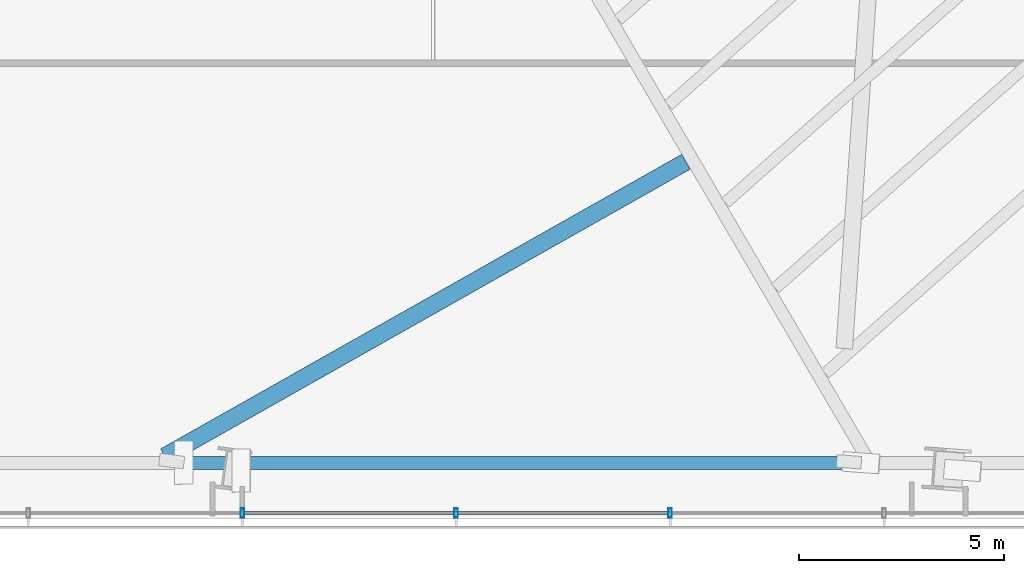
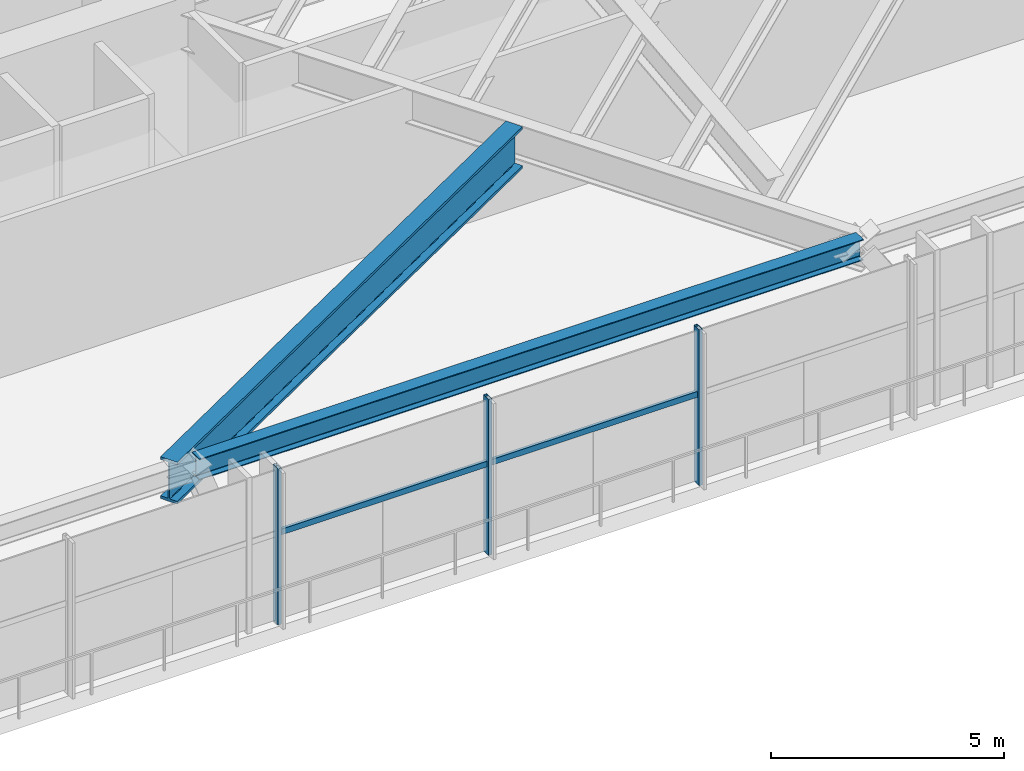
# One storey, part 12 of 33: 5 members, 2 beams, 1 element without a shape of its own.
"""IFC4 building model written with IfcOpenShell, lengths in metres."""

from ifc_helpers import new_model, si_unit, direction, frame, origin, origin_2d, place, context, subcontext, project, spatial, hollow_rectangle, i_section, extrude, source, transform, mapped, material, material_profile, profile_set, type_object, type_shapes, element, aggregate, save


model = new_model("IFC4")

# Units and contexts
model_context = context("Model", 3, precision=1e-05, world=origin(), true_north=direction((0.0, 1.0)))
body_context = subcontext(model_context, "Body", "Model", "MODEL_VIEW")
ifc_project = project(units=[si_unit("LENGTHUNIT", "METRE"), si_unit("AREAUNIT", "SQUARE_METRE"), si_unit("VOLUMEUNIT", "CUBIC_METRE"), si_unit("PLANEANGLEUNIT", "RADIAN"), si_unit("MASSUNIT", "GRAM", prefix="KILO")], contexts=[model_context])

# Site, building, storey
site_placement = place(None, origin())
site = spatial("IfcSite", under=ifc_project, at=site_placement, CompositionType="ELEMENT")
building_placement = place(site_placement, origin())
building = spatial("IfcBuilding", under=site, at=building_placement, Name="Astriad Promenade Condominiums", CompositionType="ELEMENT")
storey_placement = place(building_placement, frame((0.0, 0.0, 9.5)))
storey = spatial("IfcBuildingStorey", under=building, at=storey_placement, Name="L02", CompositionType="ELEMENT", Elevation=9.5)

# Beams
ifc_material_1 = material(Name="Steel ASTM A992 Grade 50", Category="steel")
ifc_material_profile_1 = material_profile(ifc_material_1, i_section(OverallWidth=0.3134765625, OverallDepth=0.54638671875, WebThickness=0.013916015625, FlangeThickness=0.022216796875, FilletRadius=0.0166015625, at=origin_2d()), Name="W21X111")
ifc_profile_set_1 = profile_set([ifc_material_profile_1], Name="Steel ASTM A992 Grade 50")
beam_type_1 = type_object("IfcBeamType", Name="STEEL SPANDREL BEAM W21X111", PredefinedType="SPANDREL", material=ifc_profile_set_1)
shared_shape_1 = source(origin(), body_context, "Body", "SweptSolid", [
    extrude(i_section(OverallWidth=0.3134765625, OverallDepth=0.54638671875, WebThickness=0.013916015625, FlangeThickness=0.022216796875, FilletRadius=0.0166015625, at=origin_2d()), origin(), (0.0, 0.0, 1.0), 16.43359375),
])
type_shapes(beam_type_1, [shared_shape_1])
beam_1_placement = place(storey_placement, frame((37.68701171875, 2.566650390625, 3.806884765625), z_axis=(1.0, 0.0, 0.0), x_axis=(0.0, 1.0, 0.0)))
element("IfcBeam", 1, at=beam_1_placement, inside=storey, type_object=beam_type_1, Name="Perimeter Spandrel Beam SP-S3-L02", PredefinedType="SPANDREL", context=body_context, shape_type="MappedRepresentation", body=[
    mapped(shared_shape_1, transform((0.0, 0.0, 0.0), scale=1.0)),
])
ifc_material_profile_2 = material_profile(ifc_material_1, i_section(OverallWidth=0.4169921875, OverallDepth=1.093505859375, WebThickness=0.0390625, FlangeThickness=0.070068359375, FilletRadius=0.025390625, at=origin_2d()), Name="W40X503")
ifc_profile_set_2 = profile_set([ifc_material_profile_2], Name="Steel ASTM A992 Grade 50")
beam_type_2 = type_object("IfcBeamType", Name="STEEL TRANSFER GIRDER W40X503", PredefinedType="BEAM", material=ifc_profile_set_2)
shared_shape_2 = source(origin(), body_context, "Body", "SweptSolid", [
    extrude(i_section(OverallWidth=0.4169921875, OverallDepth=1.093505859375, WebThickness=0.0390625, FlangeThickness=0.070068359375, FilletRadius=0.025390625, at=origin_2d()), origin(), (0.0, 0.0, 1.0), 14.57080078125),
])
type_shapes(beam_type_2, [shared_shape_2])
beam_2_placement = place(storey_placement, frame((49.798828125, 9.89794921875, 3.533203125), z_axis=(-0.87056283872, -0.492057256668, 0.0), x_axis=(0.492057256668, -0.87056283872, 0.0)))
element("IfcBeam", 2, at=beam_2_placement, inside=storey, type_object=beam_type_2, Name="Transfer Splice Carrier TRM-SP-PC03-L02", PredefinedType="BEAM", context=body_context, shape_type="MappedRepresentation", body=[
    mapped(shared_shape_2, transform((0.0, 0.0, 0.0), scale=1.0)),
])

# Curtain wall, members
ifc_material_2 = material(Name="Anodised aluminium Black Dark Glass Unitised", Category="aluminium")
curtain_wall_type = type_object("IfcCurtainWallType", Name="CW-POD-DARK", PredefinedType="USERDEFINED", material=ifc_material_2)
curtain_wall_placement = place(storey_placement, origin())
curtain_wall = element("IfcCurtainWall", 3, at=curtain_wall_placement, inside=storey, type_object=curtain_wall_type, Name="CW-L02-S", ObjectType="UNITISED_CURTAIN_WALL", PredefinedType="USERDEFINED")
ifc_material_3 = material(Name="Anodised aluminium 6063-T6 Black", Category="aluminium")
ifc_material_profile_3 = material_profile(ifc_material_3, hollow_rectangle(XDim=0.0849609375, YDim=0.219970703125, WallThickness=0.0048828125, at=origin_2d()), Name="ALU-MUL-85X220")
ifc_profile_set_3 = profile_set([ifc_material_profile_3], Name="Anodised aluminium 6063-T6 Black")
member_type_1 = type_object("IfcMemberType", Name="MUL-ALU-MUL-85X220", PredefinedType="MULLION", material=ifc_profile_set_3)
shared_shape_3 = source(origin(), body_context, "Body", "SweptSolid", [
    extrude(hollow_rectangle(XDim=0.0849609375, YDim=0.219970703125, WallThickness=0.0048828125, at=origin_2d()), origin(), (0.0, 0.0, 1.0), 4.080078125),
])
type_shapes(member_type_1, [shared_shape_3])
member_1_placement = place(storey_placement, frame((49.416748046875, 1.35009765625, 0.0), z_axis=(0.0, 0.0, 1.0), x_axis=(1.0, 0.0, 0.0)))
member_1 = element("IfcMember", 4, at=member_1_placement, type_object=member_type_1, Name="CW-L02-S-MUL-04", PredefinedType="MULLION", context=body_context, shape_type="MappedRepresentation", body=[
    mapped(shared_shape_3, transform((0.0, 0.0, 0.0), scale=1.0)),
])
member_2_placement = place(storey_placement, frame((44.208251953125, 1.35009765625, 0.0), z_axis=(0.0, 0.0, 1.0), x_axis=(1.0, 0.0, 0.0)))
member_2 = element("IfcMember", 5, at=member_2_placement, type_object=member_type_1, Name="CW-L02-S-MUL-05", PredefinedType="MULLION", context=body_context, shape_type="MappedRepresentation", body=[
    mapped(shared_shape_3, transform((0.0, 0.0, 0.0), scale=1.0)),
])
member_3_placement = place(storey_placement, frame((39.0, 1.35009765625, 0.0), z_axis=(0.0, 0.0, 1.0), x_axis=(1.0, 0.0, 0.0)))
member_3 = element("IfcMember", 6, at=member_3_placement, type_object=member_type_1, Name="CW-L02-S-MUL-06", PredefinedType="MULLION", context=body_context, shape_type="MappedRepresentation", body=[
    mapped(shared_shape_3, transform((0.0, 0.0, 0.0), scale=1.0)),
])
ifc_material_profile_4 = material_profile(ifc_material_3, hollow_rectangle(XDim=0.074951171875, YDim=0.14990234375, WallThickness=0.004150390625, at=origin_2d()), Name="ALU-TRN-75X150")
ifc_profile_set_4 = profile_set([ifc_material_profile_4], Name="Anodised aluminium 6063-T6 Black")
member_type_2 = type_object("IfcMemberType", Name="TRN-ALU-TRN-75X150", PredefinedType="USERDEFINED", material=ifc_profile_set_4)
shared_shape_4 = source(origin(), body_context, "Body", "SweptSolid", [
    extrude(hollow_rectangle(XDim=0.074951171875, YDim=0.14990234375, WallThickness=0.004150390625, at=origin_2d()), origin(), (0.0, 0.0, 1.0), 5.208251953125),
])
member_4_placement = place(storey_placement, frame((44.208251953125, 1.35009765625, 2.35009765625), z_axis=(-1.0, 0.0, 0.0), x_axis=(0.0, -1.0, 0.0)))
member_4 = element("IfcMember", 7, at=member_4_placement, type_object=member_type_2, Name="CW-L02-S-TRN-05-0", ObjectType="TRANSOM", PredefinedType="USERDEFINED", context=body_context, shape_type="MappedRepresentation", body=[
    mapped(shared_shape_4, transform((0.0, 0.0, 0.0), scale=1.0)),
])
shared_shape_5 = source(origin(), body_context, "Body", "SweptSolid", [
    extrude(hollow_rectangle(XDim=0.074951171875, YDim=0.14990234375, WallThickness=0.004150390625, at=origin_2d()), origin(), (0.0, 0.0, 1.0), 5.20849609375),
])
type_shapes(member_type_2, [shared_shape_4, shared_shape_5])
member_5_placement = place(storey_placement, frame((49.416748046875, 1.35009765625, 2.35009765625), z_axis=(-1.0, 0.0, 0.0), x_axis=(0.0, -1.0, 0.0)))
member_5 = element("IfcMember", 8, at=member_5_placement, type_object=member_type_2, Name="CW-L02-S-TRN-04-0", ObjectType="TRANSOM", PredefinedType="USERDEFINED", context=body_context, shape_type="MappedRepresentation", body=[
    mapped(shared_shape_5, transform((0.0, 0.0, 0.0), scale=1.0)),
])
aggregate(curtain_wall, [member_1, member_2, member_3, member_5, member_4])

save(model, "model.ifc")
